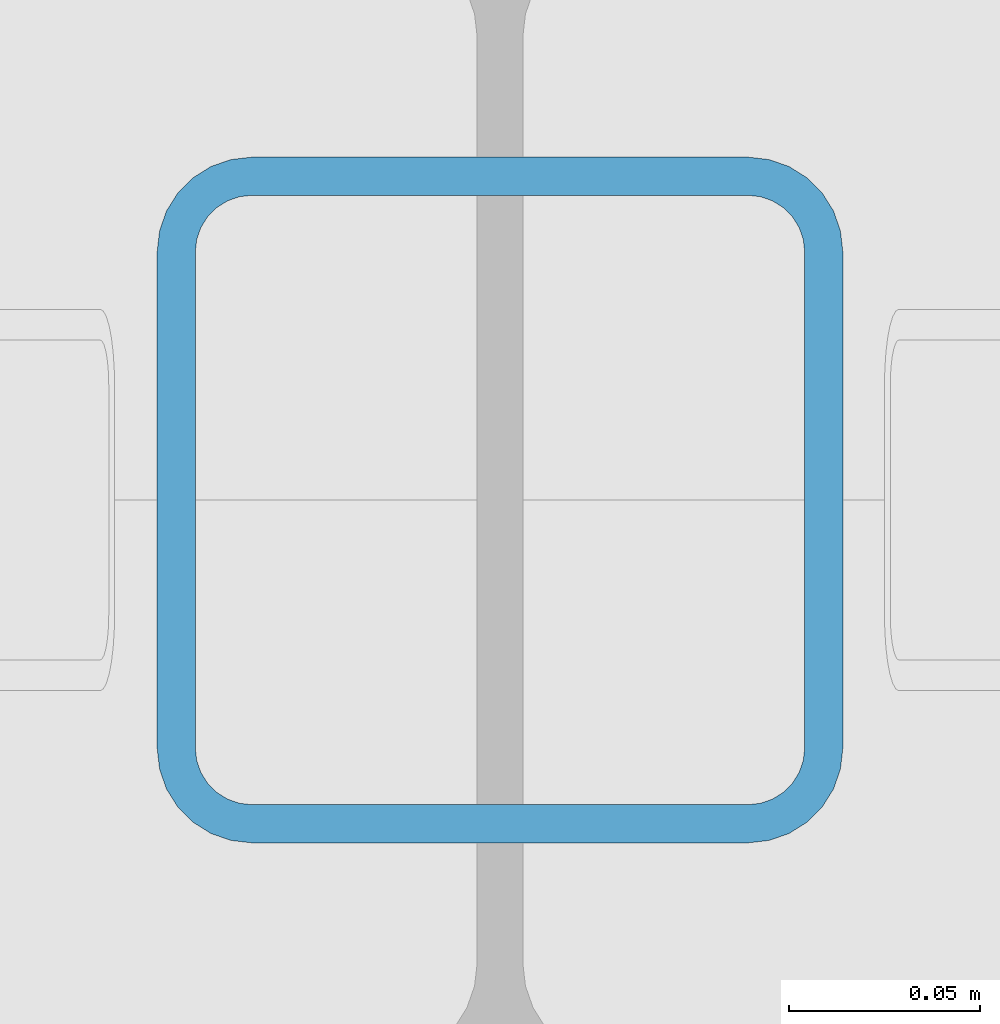
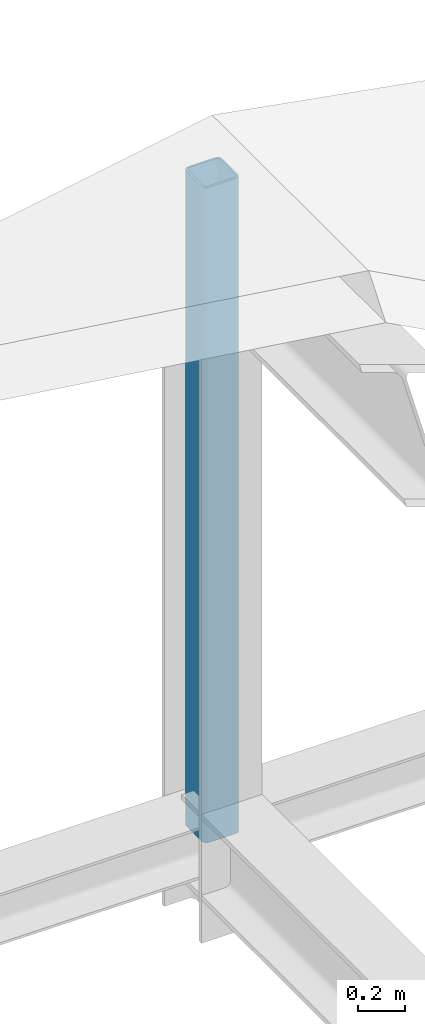
# One storey, part 37 of 90: 1 member.
"""IFC4 building model written with IfcOpenShell, lengths in metres."""

from ifc_helpers import new_model, si_unit, derived_unit, direction, frame, origin, origin_2d, place, context, subcontext, project, spatial, hollow_rectangle, extrude, material, material_profile, profile_set, type_object, element, save


model = new_model("IFC4")

# Units and contexts
model_context = context("Model", 3, precision=1e-05, world=origin(), true_north=direction((0.0, 1.0)))
body_context = subcontext(model_context, "Body", "Model", "MODEL_VIEW")
ifc_project = project(units=[si_unit("LENGTHUNIT", "METRE"), si_unit("AREAUNIT", "SQUARE_METRE"), si_unit("VOLUMEUNIT", "CUBIC_METRE"), si_unit("PLANEANGLEUNIT", "RADIAN"), si_unit("MASSUNIT", "GRAM", prefix="KILO"), derived_unit("THERMALTRANSMITTANCEUNIT", [(si_unit("POWERUNIT", "WATT"), 1), (si_unit("AREAUNIT", "SQUARE_METRE"), -1), (si_unit("THERMODYNAMICTEMPERATUREUNIT", "KELVIN"), -1)])], contexts=[model_context])

# Site, building, storey
site_placement = place(None, origin())
site = spatial("IfcSite", under=ifc_project, at=site_placement, CompositionType="ELEMENT")
building_placement = place(site_placement, origin())
building = spatial("IfcBuilding", under=site, at=building_placement, Name="Yasenodar Specialist Clinic", CompositionType="ELEMENT")
storey_placement = place(building_placement, frame((0.0, 0.0, 9.0)))
storey = spatial("IfcBuildingStorey", under=building, at=storey_placement, Name="L02", CompositionType="ELEMENT", Elevation=9.0)

# Member
ifc_material = material(Name="Steel S355", Category="steel")
ifc_material_profile = material_profile(ifc_material, hollow_rectangle(XDim=0.179931640625, YDim=0.179931640625, WallThickness=0.010009765625, InnerFilletRadius=0.014892578125, OuterFilletRadius=0.02490234375, at=origin_2d()), Name="SHS 180x180x10")
ifc_profile_set = profile_set([ifc_material_profile], Name="Steel S355")
member_type = type_object("IfcMemberType", Name="TR-STR-SHS180", PredefinedType="STRUT", material=ifc_profile_set)
member_placement = place(storey_placement, frame((121.800048828125, 34.800048828125, 0.449951171875), z_axis=(0.0, 0.0, 1.0), x_axis=(1.0, 0.0, 0.0)))
element("IfcMember", 1, at=member_placement, inside=storey, type_object=member_type, Name="V3 Conservatory King Post 5", PredefinedType="STRUT", context=body_context, shape_type="SweptSolid", body=[
    extrude(hollow_rectangle(XDim=0.179931640625, YDim=0.179931640625, WallThickness=0.010009765625, InnerFilletRadius=0.014892578125, OuterFilletRadius=0.02490234375, at=origin_2d()), origin(), (0.0, 0.0, 1.0), 3.429931640625),
])

save(model, "model.ifc")
